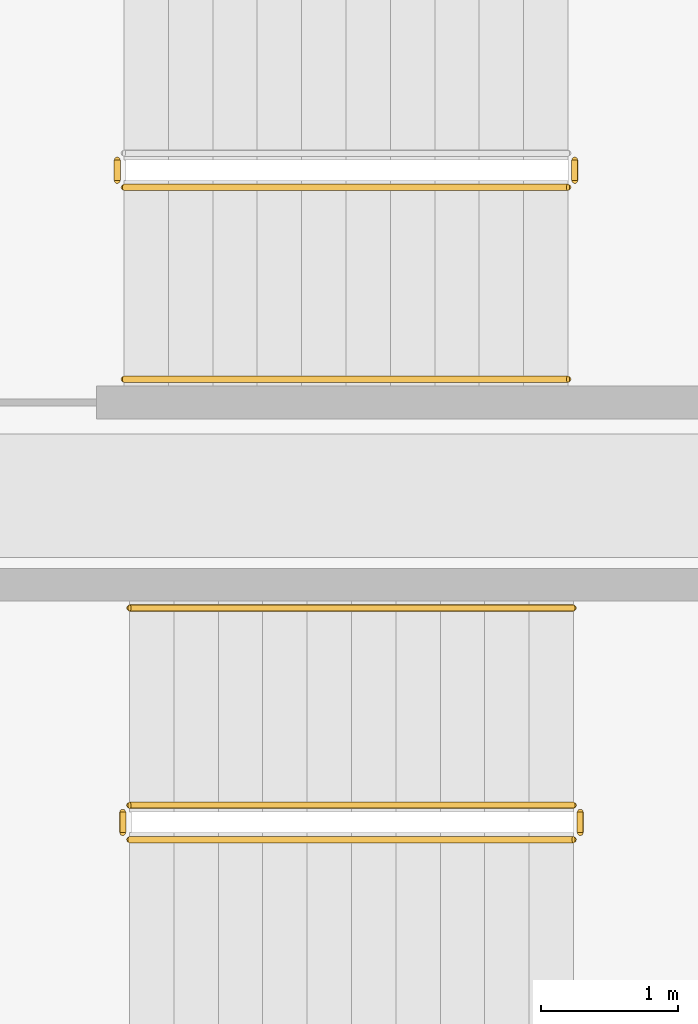
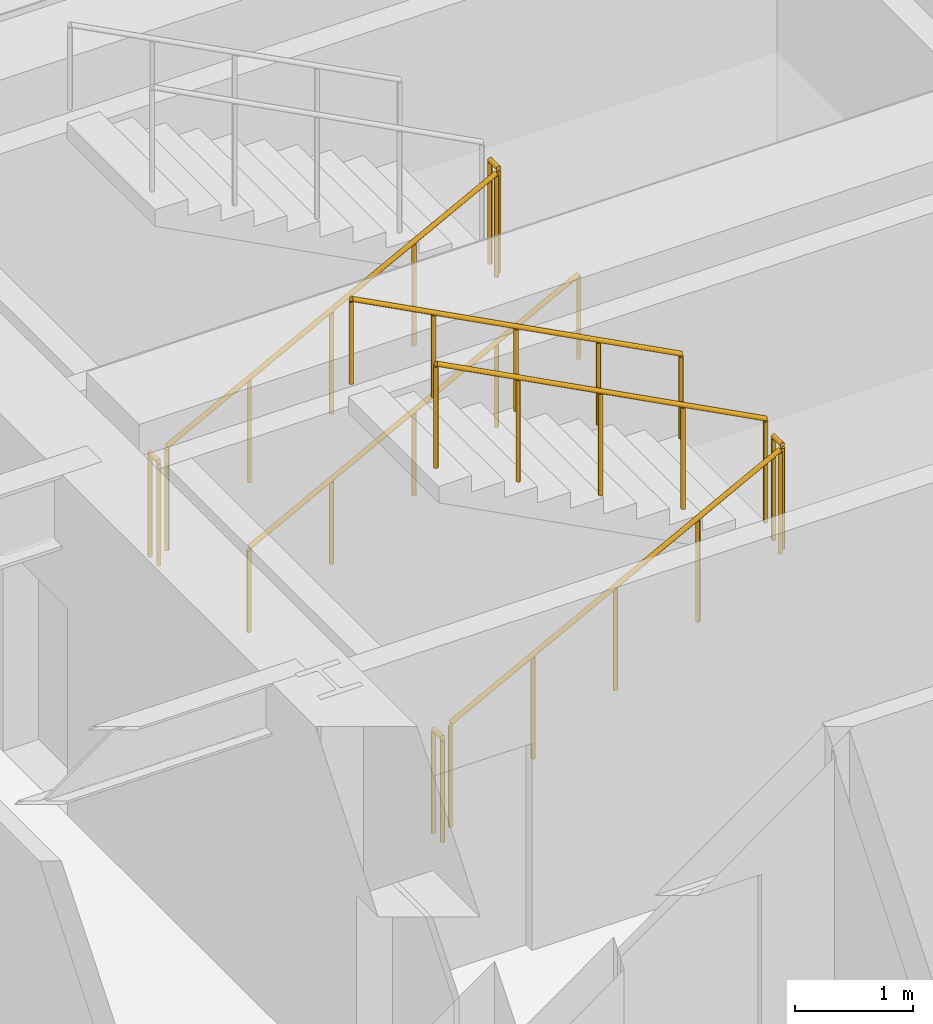
# One storey, part 10 of 11: 9 railings.
"""IFC4 building model written with IfcOpenShell, lengths in metres."""

from ifc_helpers import new_model, si_unit, direction, frame, origin, origin_2d, place, context, subcontext, project, spatial, circle, extrude, material, type_object, element, save


model = new_model("IFC4")

# Units and contexts
model_context = context("Model", 3, precision=1e-05, world=origin(), true_north=direction((0.0, 1.0)))
body_context = subcontext(model_context, "Body", "Model", "MODEL_VIEW")
ifc_project = project(units=[si_unit("LENGTHUNIT", "METRE"), si_unit("AREAUNIT", "SQUARE_METRE"), si_unit("VOLUMEUNIT", "CUBIC_METRE"), si_unit("PLANEANGLEUNIT", "RADIAN"), si_unit("MASSUNIT", "GRAM", prefix="KILO")], contexts=[model_context])

# Site, building, storey
site_placement = place(None, origin())
site = spatial("IfcSite", under=ifc_project, at=site_placement, CompositionType="ELEMENT")
building_placement = place(site_placement, origin())
building = spatial("IfcBuilding", under=site, at=building_placement, Name="Kolvaren Arena Tower", CompositionType="ELEMENT")
storey_placement = place(building_placement, frame((0.0, 0.0, 99.699951171875)))
storey = spatial("IfcBuildingStorey", under=building, at=storey_placement, Name="L22", CompositionType="ELEMENT", Elevation=99.699951171875)

# Railings
ifc_material_1 = material(Name="Painted galvanized steel", Category="steel")
railing_type_1 = type_object("IfcRailingType", Name="GUARD-ST-110", PredefinedType="GUARDRAIL", material=ifc_material_1)
railing_1_placement = place(storey_placement, frame((52.719970703125, 31.639892578125, 0.17041015625)))
element("IfcRailing", 1, at=railing_1_placement, inside=storey, type_object=railing_type_1, Name="L22 ST-E1 stair guard 1", PredefinedType="GUARDRAIL", context=body_context, shape_type="SweptSolid", body=[
    extrude(circle(Radius=0.02392578125, at=origin_2d()), frame((0.0, 0.0, 1.076171875), z_axis=(0.884993431791, 0.0, 0.465603506952), x_axis=(0.0, 1.0, 0.0)), (0.0, 0.0, 1.0), 3.6611328125),
    extrude(circle(Radius=0.02099609375, at=origin_2d()), origin(), (0.0, 0.0, 1.0), 1.052001953125),
    extrude(circle(Radius=0.02099609375, at=origin_2d()), frame((0.81005859375, 0.0, 0.42626953125)), (0.0, 0.0, 1.0), 1.052001953125),
    extrude(circle(Radius=0.02099609375, at=origin_2d()), frame((1.6201171875, 0.0, 0.852294921875)), (0.0, 0.0, 1.0), 1.052001953125),
    extrude(circle(Radius=0.02099609375, at=origin_2d()), frame((2.429931640625, 0.0, 1.2783203125)), (0.0, 0.0, 1.0), 1.052001953125),
    extrude(circle(Radius=0.02099609375, at=origin_2d()), frame((3.239990234375, 0.0, 1.70458984375)), (0.0, 0.0, 1.0), 1.052001953125),
])
railing_2_placement = place(storey_placement, frame((56.010009765625, 31.68994140625, 1.875)))
element("IfcRailing", 2, at=railing_2_placement, inside=storey, type_object=railing_type_1, Name="L22 ST-E1 stair guard 2", PredefinedType="GUARDRAIL", context=body_context, shape_type="SweptSolid", body=[
    extrude(circle(Radius=0.02392578125, at=origin_2d()), frame((0.0, 0.0, 1.076171875), z_axis=(0.0, 1.0, 0.0), x_axis=(-1.0, 0.0, 0.0)), (0.0, 0.0, 1.0), 0.150146484375),
    extrude(circle(Radius=0.02099609375, at=origin_2d()), origin(), (0.0, 0.0, 1.0), 1.052001953125),
    extrude(circle(Radius=0.02099609375, at=origin_2d()), frame((0.0, 0.150146484375, 0.0)), (0.0, 0.0, 1.0), 1.052001953125),
])
railing_3_placement = place(storey_placement, frame((55.9599609375, 31.889892578125, 2.04541015625)))
element("IfcRailing", 3, at=railing_3_placement, inside=storey, type_object=railing_type_1, Name="L22 ST-E1 stair guard 3", PredefinedType="GUARDRAIL", context=body_context, shape_type="SweptSolid", body=[
    extrude(circle(Radius=0.02392578125, at=origin_2d()), frame((0.0, 0.0, 1.076171875), z_axis=(-0.884993431791, 0.0, 0.465603506952), x_axis=(0.0, -1.0, 0.0)), (0.0, 0.0, 1.0), 3.6611328125),
    extrude(circle(Radius=0.02099609375, at=origin_2d()), origin(), (0.0, 0.0, 1.0), 1.052001953125),
    extrude(circle(Radius=0.02099609375, at=origin_2d()), frame((-0.81005859375, 0.0, 0.42626953125)), (0.0, 0.0, 1.0), 1.052001953125),
    extrude(circle(Radius=0.02099609375, at=origin_2d()), frame((-1.6201171875, 0.0, 0.852294921875)), (0.0, 0.0, 1.0), 1.052001953125),
    extrude(circle(Radius=0.02099609375, at=origin_2d()), frame((-2.429931640625, 0.0, 1.2783203125)), (0.0, 0.0, 1.0), 1.052001953125),
    extrude(circle(Radius=0.02099609375, at=origin_2d()), frame((-3.239990234375, 0.0, 1.70458984375)), (0.0, 0.0, 1.0), 1.052001953125),
])
railing_4_placement = place(storey_placement, frame((52.669921875, 31.68994140625, 0.0)))
element("IfcRailing", 4, at=railing_4_placement, inside=storey, type_object=railing_type_1, Name="L22 ST-E1 stair guard 4", PredefinedType="GUARDRAIL", context=body_context, shape_type="SweptSolid", body=[
    extrude(circle(Radius=0.02392578125, at=origin_2d()), frame((0.0, 0.0, 1.076171875), z_axis=(0.0, 1.0, 0.0), x_axis=(-1.0, 0.0, 0.0)), (0.0, 0.0, 1.0), 0.150146484375),
    extrude(circle(Radius=0.02099609375, at=origin_2d()), origin(), (0.0, 0.0, 1.0), 1.052001953125),
    extrude(circle(Radius=0.02099609375, at=origin_2d()), frame((0.0, 0.150146484375, 0.0)), (0.0, 0.0, 1.0), 1.052001953125),
])
railing_5_placement = place(storey_placement, frame((52.679931640625, 36.39990234375, 0.17041015625)))
element("IfcRailing", 5, at=railing_5_placement, inside=storey, type_object=railing_type_1, Name="L22 ST-E2 stair guard 1", PredefinedType="GUARDRAIL", context=body_context, shape_type="SweptSolid", body=[
    extrude(circle(Radius=0.02392578125, at=origin_2d()), frame((0.0, 0.0, 1.076171875), z_axis=(0.884993431791, 0.0, 0.465603506952), x_axis=(0.0, 1.0, 0.0)), (0.0, 0.0, 1.0), 3.6611328125),
    extrude(circle(Radius=0.02099609375, at=origin_2d()), origin(), (0.0, 0.0, 1.0), 1.052001953125),
    extrude(circle(Radius=0.02099609375, at=origin_2d()), frame((0.81005859375, 0.0, 0.42626953125)), (0.0, 0.0, 1.0), 1.052001953125),
    extrude(circle(Radius=0.02099609375, at=origin_2d()), frame((1.6201171875, 0.0, 0.852294921875)), (0.0, 0.0, 1.0), 1.052001953125),
    extrude(circle(Radius=0.02099609375, at=origin_2d()), frame((2.429931640625, 0.0, 1.2783203125)), (0.0, 0.0, 1.0), 1.052001953125),
    extrude(circle(Radius=0.02099609375, at=origin_2d()), frame((3.239990234375, 0.0, 1.70458984375)), (0.0, 0.0, 1.0), 1.052001953125),
])
for number, where, name in (
    (6, (55.969970703125, 36.449951171875, 1.875), "L22 ST-E2 stair guard 2"),
    (7, (52.6298828125, 36.449951171875, 0.0), "L22 ST-E2 stair guard 4"),
):
    element("IfcRailing", number, at=place(storey_placement, frame(where)), inside=storey, type_object=railing_type_1, Name=name, PredefinedType="GUARDRAIL", context=body_context, shape_type="SweptSolid", body=[
        extrude(circle(Radius=0.02392578125, at=origin_2d()), frame((0.0, 0.0, 1.076171875), z_axis=(0.0, 1.0, 0.0), x_axis=(-1.0, 0.0, 0.0)), (0.0, 0.0, 1.0), 0.150146484375),
        extrude(circle(Radius=0.02099609375, at=origin_2d()), origin(), (0.0, 0.0, 1.0), 1.052001953125),
        extrude(circle(Radius=0.02099609375, at=origin_2d()), frame((0.0, 0.150146484375, 0.0)), (0.0, 0.0, 1.0), 1.052001953125),
    ])
ifc_material_2 = material(Name="Brushed stainless steel handrail", Category="steel")
railing_type_2 = type_object("IfcRailingType", Name="HRAIL-900", PredefinedType="HANDRAIL", material=ifc_material_2)
railing_6_placement = place(storey_placement, frame((55.9599609375, 33.330078125, 2.04541015625)))
element("IfcRailing", 8, at=railing_6_placement, inside=storey, type_object=railing_type_2, Name="L22 ST-E1 stair handrail 2", PredefinedType="HANDRAIL", context=body_context, shape_type="SweptSolid", body=[
    extrude(circle(Radius=0.02392578125, at=origin_2d()), frame((0.0, 0.0, 0.8759765625), z_axis=(-0.884993431791, 0.0, 0.465603506952), x_axis=(0.0, -1.0, 0.0)), (0.0, 0.0, 1.0), 3.6611328125),
    extrude(circle(Radius=0.02099609375, at=origin_2d()), origin(), (0.0, 0.0, 1.0), 0.851806640625),
    extrude(circle(Radius=0.02099609375, at=origin_2d()), frame((-0.81005859375, 0.0, 0.42626953125)), (0.0, 0.0, 1.0), 0.851806640625),
    extrude(circle(Radius=0.02099609375, at=origin_2d()), frame((-1.6201171875, 0.0, 0.852294921875)), (0.0, 0.0, 1.0), 0.851806640625),
    extrude(circle(Radius=0.02099609375, at=origin_2d()), frame((-2.429931640625, 0.0, 1.2783203125)), (0.0, 0.0, 1.0), 0.851806640625),
    extrude(circle(Radius=0.02099609375, at=origin_2d()), frame((-3.239990234375, 0.0, 1.70458984375)), (0.0, 0.0, 1.0), 0.851806640625),
])
railing_7_placement = place(storey_placement, frame((52.679931640625, 35.0, 0.17041015625)))
element("IfcRailing", 9, at=railing_7_placement, inside=storey, type_object=railing_type_2, Name="L22 ST-E2 stair handrail 1", PredefinedType="HANDRAIL", context=body_context, shape_type="SweptSolid", body=[
    extrude(circle(Radius=0.02392578125, at=origin_2d()), frame((0.0, 0.0, 0.8759765625), z_axis=(0.884993431791, 0.0, 0.465603506952), x_axis=(0.0, 1.0, 0.0)), (0.0, 0.0, 1.0), 3.6611328125),
    extrude(circle(Radius=0.02099609375, at=origin_2d()), origin(), (0.0, 0.0, 1.0), 0.851806640625),
    extrude(circle(Radius=0.02099609375, at=origin_2d()), frame((0.81005859375, 0.0, 0.42626953125)), (0.0, 0.0, 1.0), 0.851806640625),
    extrude(circle(Radius=0.02099609375, at=origin_2d()), frame((1.6201171875, 0.0, 0.852294921875)), (0.0, 0.0, 1.0), 0.851806640625),
    extrude(circle(Radius=0.02099609375, at=origin_2d()), frame((2.429931640625, 0.0, 1.2783203125)), (0.0, 0.0, 1.0), 0.851806640625),
    extrude(circle(Radius=0.02099609375, at=origin_2d()), frame((3.239990234375, 0.0, 1.70458984375)), (0.0, 0.0, 1.0), 0.851806640625),
])

save(model, "model.ifc")
